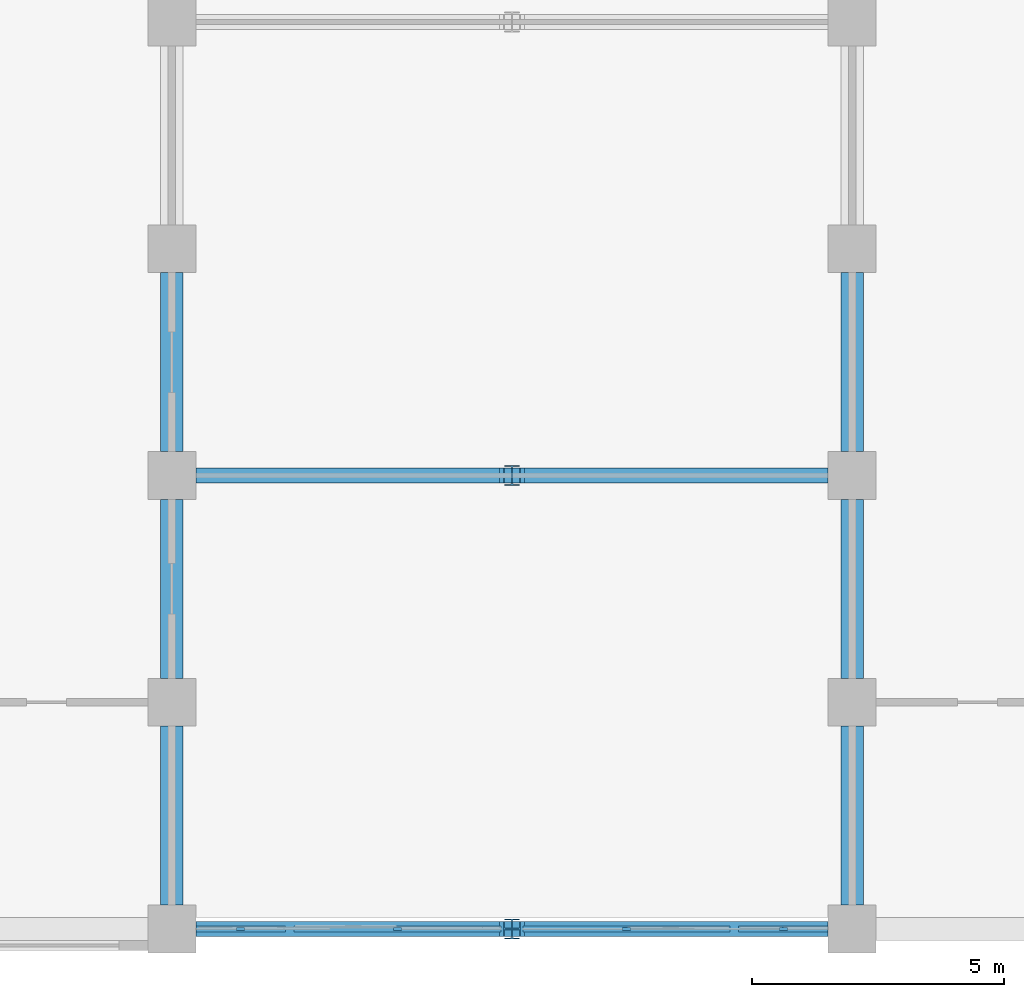
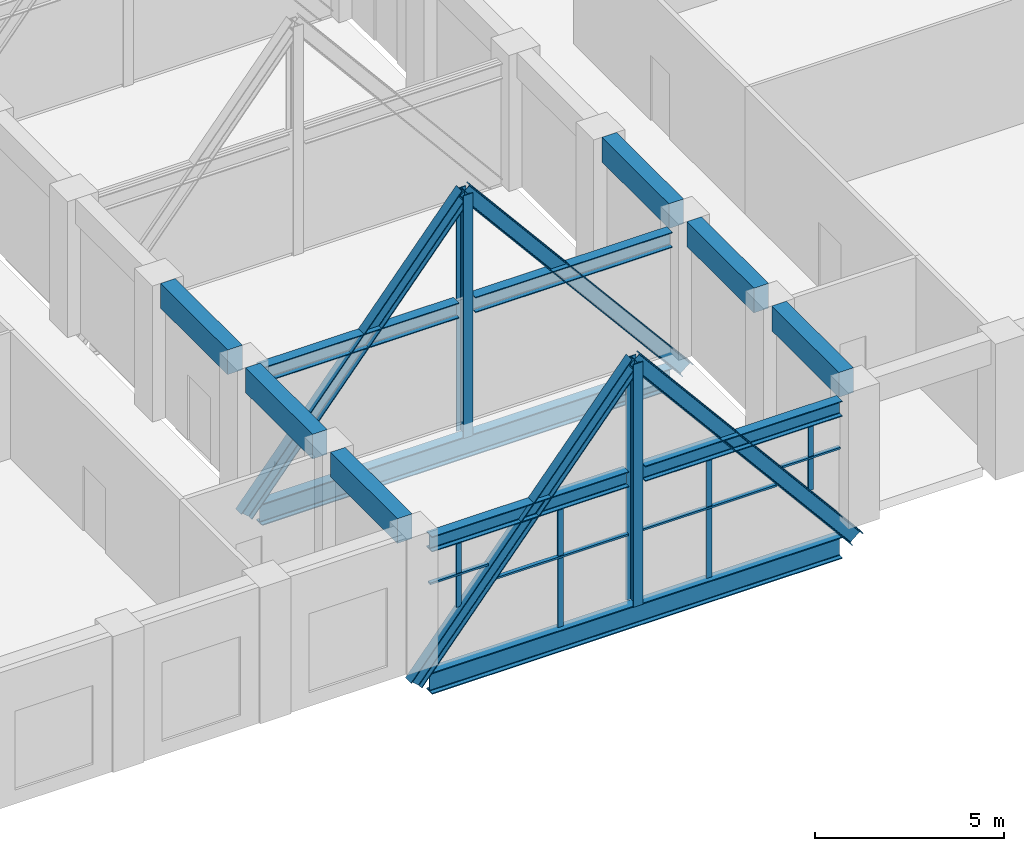
# One storey, part 2 of 15: 20 members, 6 beams, 4 elements without a shape of their own.
"""IFC4 building model written with IfcOpenShell, lengths in metres."""

from ifc_helpers import new_model, si_unit, direction, frame, origin, origin_2d, place, context, subcontext, project, spatial, rectangle, i_section, extrude, material, material_profile, profile_set, type_object, element, aggregate, save


model = new_model("IFC4")

# Units and contexts
model_context = context("Model", 3, precision=1e-05, world=origin(), true_north=direction((0.0, 1.0)))
body_context = subcontext(model_context, "Body", "Model", "MODEL_VIEW")
ifc_project = project(units=[si_unit("LENGTHUNIT", "METRE"), si_unit("AREAUNIT", "SQUARE_METRE"), si_unit("VOLUMEUNIT", "CUBIC_METRE"), si_unit("PLANEANGLEUNIT", "RADIAN"), si_unit("MASSUNIT", "GRAM", prefix="KILO")], contexts=[model_context])

# Site, building, storey
site_placement = place(None, origin())
site = spatial("IfcSite", under=ifc_project, at=site_placement, CompositionType="ELEMENT")
building_placement = place(site_placement, origin())
building = spatial("IfcBuilding", under=site, at=building_placement, Name="Girih Gate Residences", CompositionType="ELEMENT")
storey_placement = place(building_placement, frame((0.0, 0.0, 168.199951171875)))
storey = spatial("IfcBuildingStorey", under=building, at=storey_placement, Name="L46", CompositionType="ELEMENT", Elevation=168.199951171875)

# Members
ifc_material_1 = material(Name="Steel S460", Category="steel")
ifc_material_profile_1 = material_profile(ifc_material_1, i_section(OverallWidth=0.300048828125, OverallDepth=0.699951171875, WebThickness=0.01708984375, FlangeThickness=0.031982421875, FilletRadius=0.027099609375, at=origin_2d()))
ifc_profile_set_1 = profile_set([ifc_material_profile_1], Name="Steel S460")
member_type_1 = type_object("IfcMemberType", Name="Bridge truss bottom chord HE 700 B Steel S460", PredefinedType="CHORD", material=ifc_profile_set_1)
for number, where, z_axis, x_axis, name in (
    (1, (18.47509765625, 0.0, -0.800048828125), (1.0, 0.0, 0.0), (0.0, 1.0, 0.0), "Bridge truss chord at 0"),
    (2, (18.47509765625, 9.0, -0.800048828125), (1.0, 0.0, 0.0), (0.0, 1.0, 0.0), "Bridge truss chord at 9"),
):
    element("IfcMember", number, at=place(storey_placement, frame(where, z_axis=z_axis, x_axis=x_axis)), inside=storey, type_object=member_type_1, Name=name, PredefinedType="CHORD", context=body_context, shape_type="SweptSolid", body=[
        extrude(i_section(OverallWidth=0.300048828125, OverallDepth=0.699951171875, WebThickness=0.01708984375, FlangeThickness=0.031982421875, FilletRadius=0.027099609375, at=origin_2d()), origin(), (0.0, 0.0, 1.0), 12.5498046875),
    ])
ifc_material_profile_2 = material_profile(ifc_material_1, i_section(OverallWidth=0.300048828125, OverallDepth=0.5, WebThickness=0.014404296875, FlangeThickness=0.028076171875, FilletRadius=0.027099609375, at=origin_2d()))
ifc_profile_set_2 = profile_set([ifc_material_profile_2], Name="Steel S460")
member_type_2 = type_object("IfcMemberType", Name="Bridge truss chord HE 500 B Steel S460", PredefinedType="CHORD", material=ifc_profile_set_2)
for number, where, z_axis, x_axis, name in (
    (3, (18.47509765625, 0.0, 3.699951171875), (1.0, 0.0, 0.0), (0.0, 1.0, 0.0), "Bridge truss chord at 0"),
    (4, (25.0, 0.0, 3.699951171875), (1.0, 0.0, 0.0), (0.0, 1.0, 0.0), "Bridge truss chord at 0"),
    (5, (18.47509765625, 9.0, 3.699951171875), (1.0, 0.0, 0.0), (0.0, 1.0, 0.0), "Bridge truss chord at 9"),
    (6, (25.0, 9.0, 3.699951171875), (1.0, 0.0, 0.0), (0.0, 1.0, 0.0), "Bridge truss chord at 9"),
):
    element("IfcMember", number, at=place(storey_placement, frame(where, z_axis=z_axis, x_axis=x_axis)), inside=storey, type_object=member_type_2, Name=name, PredefinedType="CHORD", context=body_context, shape_type="SweptSolid", body=[
        extrude(i_section(OverallWidth=0.300048828125, OverallDepth=0.5, WebThickness=0.014404296875, FlangeThickness=0.028076171875, FilletRadius=0.027099609375, at=origin_2d()), origin(), (0.0, 0.0, 1.0), 6.02490234375),
    ])
ifc_material_profile_3 = material_profile(ifc_material_1, i_section(OverallWidth=0.300048828125, OverallDepth=0.43994140625, WebThickness=0.013916015625, FlangeThickness=0.02587890625, FilletRadius=0.027099609375, at=origin_2d()))
ifc_profile_set_3 = profile_set([ifc_material_profile_3], Name="Steel S460")
member_type_3 = type_object("IfcMemberType", Name="Bridge truss diagonal HE 450 B Steel S460", PredefinedType="BRACE", material=ifc_profile_set_3)
for number, where, z_axis, x_axis, name in (
    (7, (18.0, 0.0, -0.699951171875), (0.64017984464, 0.0, 0.768225075429), (0.0, 1.0, 0.0), "Bridge truss diagonal at 0"),
    (8, (24.75, 0.0, 7.400146484375), (0.64017984464, 0.0, -0.768225075429), (0.0, 1.0, 0.0), "Bridge truss diagonal at 0"),
    (9, (18.0, 9.0, -0.699951171875), (0.64017984464, 0.0, 0.768225075429), (0.0, 1.0, 0.0), "Bridge truss diagonal at 9"),
    (10, (24.75, 9.0, 7.400146484375), (0.64017984464, 0.0, -0.768225075429), (0.0, 1.0, 0.0), "Bridge truss diagonal at 9"),
):
    element("IfcMember", number, at=place(storey_placement, frame(where, z_axis=z_axis, x_axis=x_axis)), inside=storey, type_object=member_type_3, Name=name, PredefinedType="BRACE", context=body_context, shape_type="SweptSolid", body=[
        extrude(i_section(OverallWidth=0.300048828125, OverallDepth=0.43994140625, WebThickness=0.013916015625, FlangeThickness=0.02587890625, FilletRadius=0.027099609375, at=origin_2d()), origin(), (0.0, 0.0, 1.0), 10.5439453125),
    ])
ifc_material_profile_4 = material_profile(ifc_material_1, i_section(OverallWidth=0.300048828125, OverallDepth=0.39990234375, WebThickness=0.013427734375, FlangeThickness=0.02392578125, FilletRadius=0.027099609375, at=origin_2d()))
ifc_profile_set_4 = profile_set([ifc_material_profile_4], Name="Steel S460")
member_type_4 = type_object("IfcMemberType", Name="Bridge truss post HE 400 B Steel S460", PredefinedType="POST", material=ifc_profile_set_4)
for number, where, z_axis, x_axis, name in (
    (11, (24.75, 0.0, -0.449951171875), (0.0, 0.0, 1.0), (1.0, 0.0, 0.0), "Bridge truss post at 0"),
    (12, (24.75, 9.0, -0.449951171875), (0.0, 0.0, 1.0), (1.0, 0.0, 0.0), "Bridge truss post at 9"),
):
    element("IfcMember", number, at=place(storey_placement, frame(where, z_axis=z_axis, x_axis=x_axis)), inside=storey, type_object=member_type_4, Name=name, PredefinedType="POST", context=body_context, shape_type="SweptSolid", body=[
        extrude(i_section(OverallWidth=0.300048828125, OverallDepth=0.39990234375, WebThickness=0.013427734375, FlangeThickness=0.02392578125, FilletRadius=0.027099609375, at=origin_2d()), origin(), (0.0, 0.0, 1.0), 7.85009765625),
    ])

# Curtain wall, member
ifc_material_2 = material(Name="Aluminium curtain wall frame", Category="aluminium")
curtain_wall_type = type_object("IfcCurtainWallType", Name="Curtain wall CW-4 bridge glazing", PredefinedType="NOTDEFINED", material=ifc_material_2)
curtain_wall_1_placement = place(storey_placement, origin())
curtain_wall_1 = element("IfcCurtainWall", 13, at=curtain_wall_1_placement, inside=storey, type_object=curtain_wall_type, Name="CW-4 Bridge glazing S1", PredefinedType="NOTDEFINED")
ifc_material_profile_5 = material_profile(ifc_material_2, rectangle(XDim=0.06005859375, YDim=0.159912109375, at=origin_2d()))
ifc_profile_set_5 = profile_set([ifc_material_profile_5], Name="Aluminium curtain wall frame")
member_type_5 = type_object("IfcMemberType", Name="Curtain wall mullion 60x160", PredefinedType="MULLION", material=ifc_profile_set_5)
member_1_placement = place(storey_placement, frame((19.36328125, 0.0, 1.30322265625), z_axis=(0.0, 0.0, 1.0), x_axis=(0.0, 1.0, 0.0)))
member_1 = element("IfcMember", 14, at=member_1_placement, type_object=member_type_5, Name="CW-4 mullion S1", PredefinedType="MULLION", context=body_context, shape_type="SweptSolid", body=[
    extrude(rectangle(XDim=0.06005859375, YDim=0.159912109375, at=origin_2d()), origin(), (0.0, 0.0, 1.0), 2.1318359375),
])

curtain_wall_2_placement = place(storey_placement, origin())
curtain_wall_2 = element("IfcCurtainWall", 15, at=curtain_wall_2_placement, inside=storey, type_object=curtain_wall_type, Name="CW-4 Bridge glazing S3", PredefinedType="NOTDEFINED")
member_2_placement = place(storey_placement, frame((22.479736328125, 0.0, -0.43505859375), z_axis=(0.0, 0.0, 1.0), x_axis=(0.0, 1.0, 0.0)))
member_2 = element("IfcMember", 16, at=member_2_placement, type_object=member_type_5, Name="CW-4 mullion S3", PredefinedType="MULLION", context=body_context, shape_type="SweptSolid", body=[
    extrude(rectangle(XDim=0.06005859375, YDim=0.159912109375, at=origin_2d()), origin(), (0.0, 0.0, 1.0), 3.8701171875),
])

curtain_wall_3_placement = place(storey_placement, origin())
curtain_wall_3 = element("IfcCurtainWall", 17, at=curtain_wall_3_placement, inside=storey, type_object=curtain_wall_type, Name="CW-4 Bridge glazing S4", PredefinedType="NOTDEFINED")
member_3_placement = place(storey_placement, frame((27.020263671875, 0.0, -0.43505859375), z_axis=(0.0, 0.0, 1.0), x_axis=(0.0, 1.0, 0.0)))
member_3 = element("IfcMember", 18, at=member_3_placement, type_object=member_type_5, Name="CW-4 mullion S4", PredefinedType="MULLION", context=body_context, shape_type="SweptSolid", body=[
    extrude(rectangle(XDim=0.06005859375, YDim=0.159912109375, at=origin_2d()), origin(), (0.0, 0.0, 1.0), 3.8701171875),
])

curtain_wall_4_placement = place(storey_placement, origin())
curtain_wall_4 = element("IfcCurtainWall", 19, at=curtain_wall_4_placement, inside=storey, type_object=curtain_wall_type, Name="CW-4 Bridge glazing S6", PredefinedType="NOTDEFINED")
member_4_placement = place(storey_placement, frame((30.13671875, 0.0, 1.30322265625), z_axis=(0.0, 0.0, 1.0), x_axis=(0.0, 1.0, 0.0)))
member_4 = element("IfcMember", 20, at=member_4_placement, type_object=member_type_5, Name="CW-4 mullion S6", PredefinedType="MULLION", context=body_context, shape_type="SweptSolid", body=[
    extrude(rectangle(XDim=0.06005859375, YDim=0.159912109375, at=origin_2d()), origin(), (0.0, 0.0, 1.0), 2.1318359375),
])

# Member
ifc_material_profile_6 = material_profile(ifc_material_2, rectangle(XDim=0.1201171875, YDim=0.06005859375, at=origin_2d()))
ifc_profile_set_6 = profile_set([ifc_material_profile_6], Name="Aluminium curtain wall frame")
member_type_6 = type_object("IfcMemberType", Name="Curtain wall transom 60x120", PredefinedType="USERDEFINED", material=ifc_profile_set_6)
member_5_placement = place(storey_placement, frame((18.47509765625, 0.0, 2.369140625), z_axis=(1.0, 0.0, 0.0), x_axis=(0.0, 1.0, 0.0)))
member_5 = element("IfcMember", 21, at=member_5_placement, type_object=member_type_6, Name="CW-4 transom S1", ObjectType="TRANSOM", PredefinedType="USERDEFINED", context=body_context, shape_type="SweptSolid", body=[
    extrude(rectangle(XDim=0.1201171875, YDim=0.06005859375, at=origin_2d()), origin(), (0.0, 0.0, 1.0), 1.776611328125),
])

aggregate(curtain_wall_1, [member_1, member_5])

member_6_placement = place(storey_placement, frame((20.42236328125, 0.0, 1.839599609375), z_axis=(1.0, 0.0, 0.0), x_axis=(0.0, 1.0, 0.0)))
member_6 = element("IfcMember", 22, at=member_6_placement, type_object=member_type_6, Name="CW-4 transom S3", ObjectType="TRANSOM", PredefinedType="USERDEFINED", context=body_context, shape_type="SweptSolid", body=[
    extrude(rectangle(XDim=0.1201171875, YDim=0.06005859375, at=origin_2d()), origin(), (0.0, 0.0, 1.0), 4.112548828125),
])

aggregate(curtain_wall_2, [member_2, member_6])

member_7_placement = place(storey_placement, frame((24.965087890625, 0.0, 1.839599609375), z_axis=(1.0, 0.0, 0.0), x_axis=(0.0, 1.0, 0.0)))
member_7 = element("IfcMember", 23, at=member_7_placement, type_object=member_type_6, Name="CW-4 transom S4", ObjectType="TRANSOM", PredefinedType="USERDEFINED", context=body_context, shape_type="SweptSolid", body=[
    extrude(rectangle(XDim=0.1201171875, YDim=0.06005859375, at=origin_2d()), origin(), (0.0, 0.0, 1.0), 4.112548828125),
])

aggregate(curtain_wall_3, [member_3, member_7])

member_8_placement = place(storey_placement, frame((29.248291015625, 0.0, 2.369140625), z_axis=(1.0, 0.0, 0.0), x_axis=(0.0, 1.0, 0.0)))
member_8 = element("IfcMember", 24, at=member_8_placement, type_object=member_type_6, Name="CW-4 transom S6", ObjectType="TRANSOM", PredefinedType="USERDEFINED", context=body_context, shape_type="SweptSolid", body=[
    extrude(rectangle(XDim=0.1201171875, YDim=0.06005859375, at=origin_2d()), origin(), (0.0, 0.0, 1.0), 1.776611328125),
])

aggregate(curtain_wall_4, [member_4, member_8])

# Beams
ifc_material_3 = material(Name="Concrete C60/75", Category="concrete")
ifc_material_profile_7 = material_profile(ifc_material_3, rectangle(XDim=0.449951171875, YDim=0.800048828125, at=origin_2d()))
ifc_profile_set_7 = profile_set([ifc_material_profile_7], Name="Concrete C60/75")
beam_type = type_object("IfcBeamType", Name="Spandrel girder RC 450x800 Concrete C60/75", PredefinedType="BEAM", material=ifc_profile_set_7)
for number, where, z_axis, x_axis, name in (
    (25, (18.0, 0.47509765625, 4.0), (0.0, 1.0, 0.0), (-1.0, 0.0, 0.0), "Spandrel girder SP-P5A-P5B L46"),
    (26, (18.0, 4.97509765625, 4.0), (0.0, 1.0, 0.0), (-1.0, 0.0, 0.0), "Spandrel girder SP-P5B-P5C L46"),
    (27, (18.0, 9.47509765625, 4.0), (0.0, 1.0, 0.0), (-1.0, 0.0, 0.0), "Spandrel girder SP-P5C-P5D L46"),
    (28, (31.5, 0.47509765625, 4.0), (0.0, 1.0, 0.0), (-1.0, 0.0, 0.0), "Spandrel girder SP-P8A-P8B L46"),
    (29, (31.5, 4.97509765625, 4.0), (0.0, 1.0, 0.0), (-1.0, 0.0, 0.0), "Spandrel girder SP-P8B-P8C L46"),
    (30, (31.5, 9.47509765625, 4.0), (0.0, 1.0, 0.0), (-1.0, 0.0, 0.0), "Spandrel girder SP-P8C-P8D L46"),
):
    element("IfcBeam", number, at=place(storey_placement, frame(where, z_axis=z_axis, x_axis=x_axis)), inside=storey, type_object=beam_type, Name=name, PredefinedType="BEAM", context=body_context, shape_type="SweptSolid", body=[
        extrude(rectangle(XDim=0.449951171875, YDim=0.800048828125, at=origin_2d()), origin(), (0.0, 0.0, 1.0), 3.5498046875),
    ])

save(model, "model.ifc")
